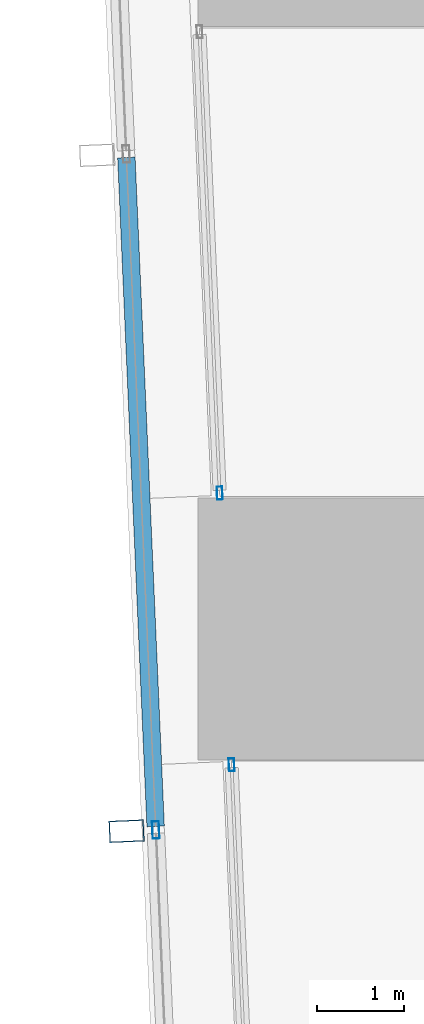
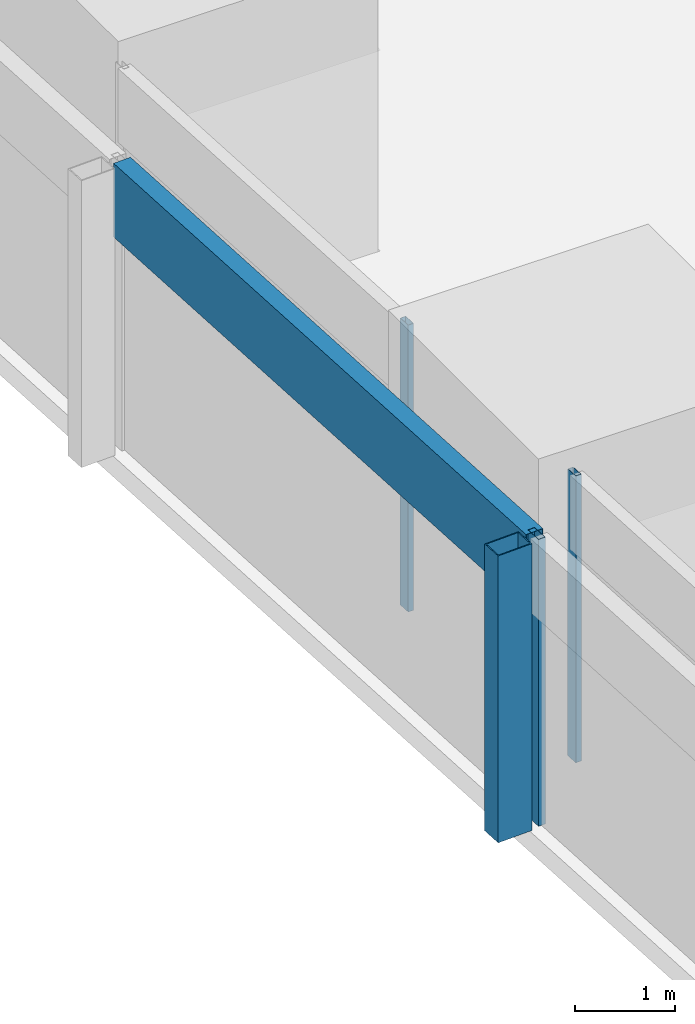
# One storey, part 4 of 45: 5 members, 3 elements without a shape of their own.
"""IFC4 building model written with IfcOpenShell, lengths in metres."""

from ifc_helpers import new_model, si_unit, direction, frame, origin, origin_2d, place, context, subcontext, project, spatial, hollow_rectangle, extrude, material, material_profile, profile_set, type_object, element, aggregate, save


model = new_model("IFC4")

# Units and contexts
model_context = context("Model", 3, precision=1e-05, world=origin(), true_north=direction((0.0, 1.0)))
body_context = subcontext(model_context, "Body", "Model", "MODEL_VIEW")
ifc_project = project(units=[si_unit("LENGTHUNIT", "METRE"), si_unit("AREAUNIT", "SQUARE_METRE"), si_unit("VOLUMEUNIT", "CUBIC_METRE"), si_unit("PLANEANGLEUNIT", "RADIAN"), si_unit("MASSUNIT", "GRAM", prefix="KILO")], contexts=[model_context])

# Site, building, storey
site_placement = place(None, origin())
site = spatial("IfcSite", under=ifc_project, at=site_placement, CompositionType="ELEMENT")
building_placement = place(site_placement, origin())
building = spatial("IfcBuilding", under=site, at=building_placement, Name="Rekha Terrace Tower", CompositionType="ELEMENT")
storey_placement = place(building_placement, frame((0.0, 0.0, 77.89990234375)))
storey = spatial("IfcBuildingStorey", under=building, at=storey_placement, Name="L19", CompositionType="ELEMENT", Elevation=77.89990234375)

# Curtain wall, member
ifc_material_1 = material(Name="Aluminium framing", Category="aluminium")
curtain_wall_type_1 = type_object("IfcCurtainWallType", Name="CW2 double skin outer glazing", PredefinedType="USERDEFINED", material=ifc_material_1)
curtain_wall_1_placement = place(storey_placement, origin())
curtain_wall_1 = element("IfcCurtainWall", 1, at=curtain_wall_1_placement, inside=storey, type_object=curtain_wall_type_1, Name="CW2 double skin outer glazing", ObjectType="DOUBLE SKIN OUTER GLAZING", PredefinedType="USERDEFINED")
ifc_material_2 = material(Name="Steel S355 with fluorocarbon finish", Category="steel")
ifc_material_profile_1 = material_profile(ifc_material_2, hollow_rectangle(XDim=0.25, YDim=0.39990234375, WallThickness=0.012451171875, at=origin_2d()), Name="RHS400x250x12.5")
ifc_profile_set_1 = profile_set([ifc_material_profile_1], Name="Steel S355 with fluorocarbon finish")
member_type_1 = type_object("IfcMemberType", Name="BL1 facade blade RHS 400 x 250", PredefinedType="USERDEFINED", material=ifc_profile_set_1)
member_1_placement = place(storey_placement, frame((6.080078125, 14.482421875, 0.0), z_axis=(0.0, 0.0, 1.0), x_axis=(0.04368215933, -0.999045478923, 0.0)))
member_1 = element("IfcMember", 2, at=member_1_placement, type_object=member_type_1, Name="Facade blade", ObjectType="FACADE BLADE", PredefinedType="USERDEFINED", context=body_context, shape_type="SweptSolid", body=[
    extrude(hollow_rectangle(XDim=0.25, YDim=0.39990234375, WallThickness=0.012451171875, at=origin_2d()), origin(), (0.0, 0.0, 1.0), 3.5),
])

curtain_wall_type_2 = type_object("IfcCurtainWallType", Name="CW1 double skin inner glazing", PredefinedType="USERDEFINED", material=ifc_material_1)
curtain_wall_2_placement = place(storey_placement, origin())
curtain_wall_2 = element("IfcCurtainWall", 3, at=curtain_wall_2_placement, inside=storey, type_object=curtain_wall_type_2, Name="CW1 double skin inner glazing", ObjectType="DOUBLE SKIN INNER GLAZING", PredefinedType="USERDEFINED")
ifc_material_3 = material(Name="Aluminium mullion section", Category="aluminium")
ifc_material_profile_2 = material_profile(ifc_material_3, hollow_rectangle(XDim=0.06494140625, YDim=0.14990234375, WallThickness=0.00390625, at=origin_2d()), Name="AL RHS 65x150")
ifc_profile_set_2 = profile_set([ifc_material_profile_2], Name="Aluminium mullion section")
member_type_2 = type_object("IfcMemberType", Name="CW1 mullion RHS 65 x 150", PredefinedType="MULLION", material=ifc_profile_set_2)
member_2_placement = place(storey_placement, frame((7.14697265625, 18.356689453125, 0.0), z_axis=(0.0, 0.0, 1.0), x_axis=(0.999045462129, 0.043682543407, 0.0)))
member_2 = element("IfcMember", 4, at=member_2_placement, type_object=member_type_2, Name="CW1 mullion 2", PredefinedType="MULLION", context=body_context, shape_type="SweptSolid", body=[
    extrude(hollow_rectangle(XDim=0.06494140625, YDim=0.14990234375, WallThickness=0.00390625, at=origin_2d()), origin(), (0.0, 0.0, 1.0), 3.5),
])
aggregate(curtain_wall_2, [member_2])

curtain_wall_3_placement = place(storey_placement, origin())
curtain_wall_3 = element("IfcCurtainWall", 5, at=curtain_wall_3_placement, inside=storey, type_object=curtain_wall_type_2, Name="CW1 double skin inner glazing", ObjectType="DOUBLE SKIN INNER GLAZING", PredefinedType="USERDEFINED")
member_3_placement = place(storey_placement, frame((7.283203125, 15.243408203125, 0.0), z_axis=(0.0, 0.0, 1.0), x_axis=(0.999045462129, 0.043682543407, 0.0)))
member_3 = element("IfcMember", 6, at=member_3_placement, type_object=member_type_2, Name="CW1 mullion 1", PredefinedType="MULLION", context=body_context, shape_type="SweptSolid", body=[
    extrude(hollow_rectangle(XDim=0.06494140625, YDim=0.14990234375, WallThickness=0.00390625, at=origin_2d()), origin(), (0.0, 0.0, 1.0), 3.5),
])
aggregate(curtain_wall_3, [member_3])

# Member
ifc_material_profile_3 = material_profile(ifc_material_3, hollow_rectangle(XDim=0.080078125, YDim=0.199951171875, WallThickness=0.00390625, at=origin_2d()), Name="AL RHS 80x200")
ifc_profile_set_3 = profile_set([ifc_material_profile_3], Name="Aluminium mullion section")
member_type_3 = type_object("IfcMemberType", Name="CW2 mullion RHS 80 x 200", PredefinedType="MULLION", material=ifc_profile_set_3)
member_4_placement = place(storey_placement, frame((6.414794921875, 14.4970703125, 0.0), z_axis=(0.0, 0.0, 1.0), x_axis=(0.999045462131, 0.043682543372, 0.0)))
member_4 = element("IfcMember", 7, at=member_4_placement, type_object=member_type_3, Name="CW2 mullion 5", PredefinedType="MULLION", context=body_context, shape_type="SweptSolid", body=[
    extrude(hollow_rectangle(XDim=0.080078125, YDim=0.199951171875, WallThickness=0.00390625, at=origin_2d()), origin(), (0.0, 0.0, 1.0), 3.5),
])

ifc_material_4 = material(Name="Insulated aluminium spandrel box", Category="aluminium")
ifc_material_profile_4 = material_profile(ifc_material_4, hollow_rectangle(XDim=0.199951171875, YDim=0.89990234375, WallThickness=0.0029296875, at=origin_2d()), Name="AL SPANDREL BOX 200x900")
ifc_profile_set_4 = profile_set([ifc_material_profile_4], Name="Insulated aluminium spandrel box")
member_type_4 = type_object("IfcMemberType", Name="CW2 spandrel transom 200 x 900", PredefinedType="USERDEFINED", material=ifc_profile_set_4)
member_5_placement = place(storey_placement, frame((6.077880859375, 22.201416015625, 3.050048828125), z_axis=(0.043694095051, -0.999044956975, 0.0), x_axis=(0.999044956975, 0.043694095051, 0.0)))
member_5 = element("IfcMember", 8, at=member_5_placement, type_object=member_type_4, Name="CW2 spandrel transom 4", ObjectType="TRANSOM", PredefinedType="USERDEFINED", context=body_context, shape_type="SweptSolid", body=[
    extrude(hollow_rectangle(XDim=0.199951171875, YDim=0.89990234375, WallThickness=0.0029296875, at=origin_2d()), origin(), (0.0, 0.0, 1.0), 7.671630859375),
])

aggregate(curtain_wall_1, [member_4, member_5, member_1])

save(model, "model.ifc")
